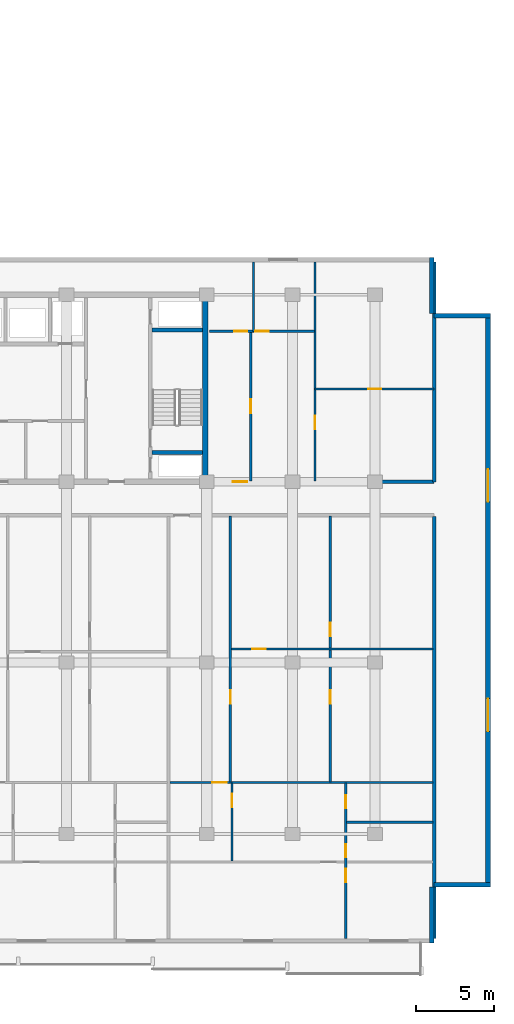
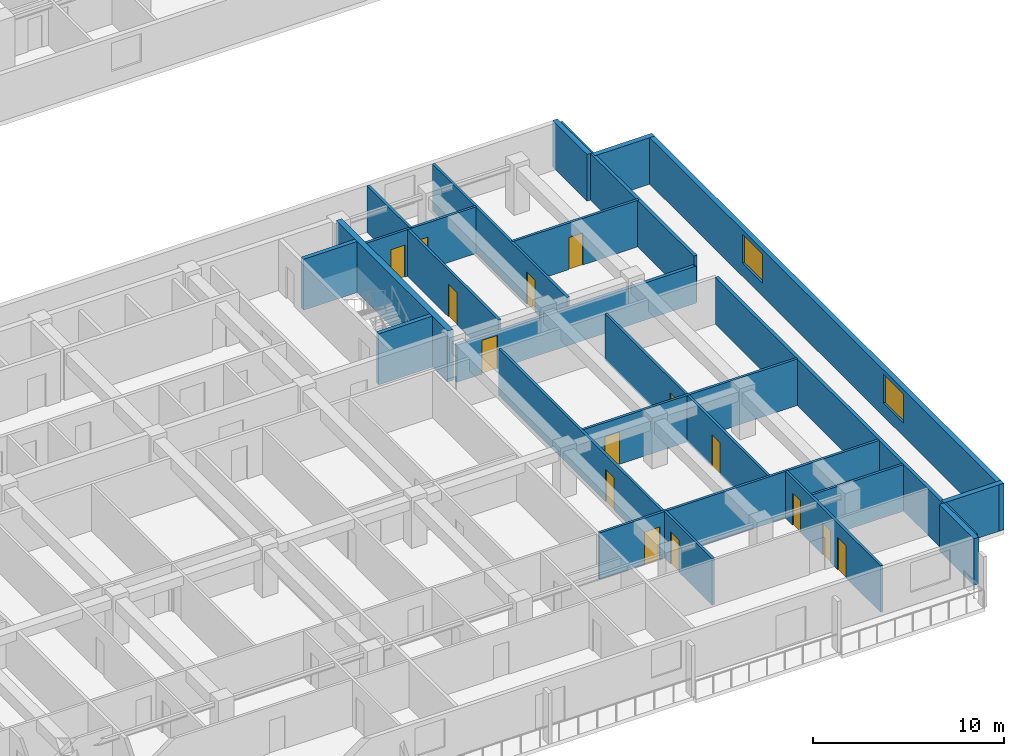
# One storey, part 8 of 23: 23 walls, 15 doors, 2 windows, 17 openings.
"""IFC4 building model written with IfcOpenShell, lengths in metres."""

from ifc_helpers import new_model, si_unit, direction, frame, frame_2d, origin, place, context, subcontext, project, spatial, rectangle, extrude, material, layer, layer_set, type_object, element, fill, save


model = new_model("IFC4")

# Units and contexts
model_context = context("Model", 3, precision=1e-05, world=origin(), true_north=direction((0.0, 1.0)))
body_context = subcontext(model_context, "Body", "Model", "MODEL_VIEW")
ifc_project = project(units=[si_unit("LENGTHUNIT", "METRE"), si_unit("AREAUNIT", "SQUARE_METRE"), si_unit("VOLUMEUNIT", "CUBIC_METRE"), si_unit("PLANEANGLEUNIT", "RADIAN"), si_unit("MASSUNIT", "GRAM", prefix="KILO")], contexts=[model_context])

# Site, building, storey
site_placement = place(None, origin())
site = spatial("IfcSite", under=ifc_project, at=site_placement, CompositionType="ELEMENT")
building_placement = place(site_placement, origin())
building = spatial("IfcBuilding", under=site, at=building_placement, Name="Korimba Cascade Residences", CompositionType="ELEMENT")
storey_placement = place(building_placement, frame((0.0, 0.0, 33.75)))
storey = spatial("IfcBuildingStorey", under=building, at=storey_placement, Name="L08", CompositionType="ELEMENT", Elevation=33.75)

# Walls
ifc_material_1 = material(Name="Precast concrete C40/50", Category="concrete")
ifc_layer_1 = layer(ifc_material_1, 0.300048828125)
ifc_layer_set_1 = layer_set([ifc_layer_1], Name="Precast concrete C40/50")
wall_type_1 = type_object("IfcWallType", Name="EW-STONE-300", PredefinedType="STANDARD", material=ifc_layer_set_1)
wall_1_placement = place(storey_placement, frame((132.550048828125, -11.199951171875, 0.0), z_axis=(0.0, 0.0, 1.0), x_axis=(0.0, 1.0, 0.0)))
element("IfcWall", 1, at=wall_1_placement, inside=storey, type_object=wall_type_1, Name="L08 T2 Perimeter Stone Wall E01", PredefinedType="STANDARD", context=body_context, shape_type="SweptSolid", body=[
    extrude(rectangle(XDim=3.599853515625, YDim=0.300048828125, at=frame_2d((1.7998046875, 0.0))), origin(), (0.0, 0.0, 1.0), 2.969970703125),
])
wall_2_placement = place(storey_placement, frame((132.699951171875, -7.449951171875, 0.0), z_axis=(0.0, 0.0, 1.0), x_axis=(1.0, 0.0, 0.0)))
element("IfcWall", 2, at=wall_2_placement, inside=storey, type_object=wall_type_1, Name="L08 T2 Perimeter Stone Wall E02", PredefinedType="STANDARD", context=body_context, shape_type="SweptSolid", body=[
    extrude(rectangle(XDim=3.60009765625, YDim=0.300048828125, at=frame_2d((1.800048828125, 0.0))), origin(), (0.0, 0.0, 1.0), 2.969970703125),
])

# Wall, openings, windows
wall_3_placement = place(storey_placement, frame((136.14990234375, -7.60009765625, 0.0), z_axis=(0.0, 0.0, 1.0), x_axis=(0.0, 1.0, 0.0)))
wall_3 = element("IfcWall", 3, at=wall_3_placement, inside=storey, type_object=wall_type_1, Name="L08 T2 Perimeter Stone Wall E03", PredefinedType="STANDARD", context=body_context, shape_type="SweptSolid", body=[
    extrude(rectangle(XDim=36.800048828125, YDim=0.300048828125, at=frame_2d((18.39990234375, 0.0))), origin(), (0.0, 0.0, 1.0), 2.969970703125),
])
opening_1_placement = place(wall_3_placement, frame((9.989990234375, 0.0, 0.85009765625)))
opening_1 = element("IfcOpeningElement", 4, at=opening_1_placement, cuts=wall_3, Name="Opening W-03", PredefinedType="OPENING", context=body_context, shape_type="SweptSolid", body=[
    extrude(rectangle(XDim=2.10009765625, YDim=1.85009765625, at=frame_2d((1.050048828125, 0.925048828125))), frame((0.0, 0.16015625, 0.0), z_axis=(0.0, -1.0, 0.0), x_axis=(1.0, 0.0, 0.0)), (0.0, 0.0, 1.0), 0.320068359375),
])
opening_2_placement = place(wall_3_placement, frame((24.7099609375, 0.0, 0.85009765625)))
opening_2 = element("IfcOpeningElement", 5, at=opening_2_placement, cuts=wall_3, Name="Opening W-03", PredefinedType="OPENING", context=body_context, shape_type="SweptSolid", body=[
    extrude(rectangle(XDim=2.10009765625, YDim=1.85009765625, at=frame_2d((1.050048828125, 0.925048828125))), frame((0.0, 0.16015625, 0.0), z_axis=(0.0, -1.0, 0.0), x_axis=(1.0, 0.0, 0.0)), (0.0, 0.0, 1.0), 0.320068359375),
])
ifc_material_2 = material(Name="Double-Glazed Aluminium Window", Category="aluminium")
window_type = type_object("IfcWindowType", Name="WIN-CRN-2100", PartitioningType="DOUBLE_PANEL_HORIZONTAL", PredefinedType="WINDOW", material=ifc_material_2)
window_1_placement = place(opening_1_placement, origin())
window_1 = element("IfcWindow", 6, at=window_1_placement, inside=storey, type_object=window_type, Name="L08 T2 End View Window 3.1", OverallHeight=1.85009765625, OverallWidth=2.10009765625, PartitioningType="DOUBLE_PANEL_HORIZONTAL", PredefinedType="WINDOW", context=body_context, shape_type="SweptSolid", body=[
    extrude(rectangle(XDim=2.10009765625, YDim=1.85009765625, at=frame_2d((1.050048828125, 0.925048828125))), frame((0.0, 0.030029296875, 0.0), z_axis=(0.0, -1.0, 0.0), x_axis=(1.0, 0.0, 0.0)), (0.0, 0.0, 1.0), 0.06005859375),
])
fill(opening_1, window_1)
window_2_placement = place(opening_2_placement, origin())
window_2 = element("IfcWindow", 7, at=window_2_placement, inside=storey, type_object=window_type, Name="L08 T2 End View Window 3.2", OverallHeight=1.85009765625, OverallWidth=2.10009765625, PartitioningType="DOUBLE_PANEL_HORIZONTAL", PredefinedType="WINDOW", context=body_context, shape_type="SweptSolid", body=[
    extrude(rectangle(XDim=2.10009765625, YDim=1.85009765625, at=frame_2d((1.050048828125, 0.925048828125))), frame((0.0, 0.030029296875, 0.0), z_axis=(0.0, -1.0, 0.0), x_axis=(1.0, 0.0, 0.0)), (0.0, 0.0, 1.0), 0.06005859375),
])
fill(opening_2, window_2)

# Walls
for number, where, z_axis, x_axis, name in (
    (8, (136.300048828125, 29.050048828125, 0.0), (0.0, 0.0, 1.0), (-1.0, 0.0, 0.0), "L08 T2 Perimeter Stone Wall E04"),
    (9, (132.550048828125, 29.199951171875, 0.0), (0.0, 0.0, 1.0), (0.0, 1.0, 0.0), "L08 T2 Perimeter Stone Wall E05"),
):
    element("IfcWall", number, at=place(storey_placement, frame(where, z_axis=z_axis, x_axis=x_axis)), inside=storey, type_object=wall_type_1, Name=name, PredefinedType="STANDARD", context=body_context, shape_type="SweptSolid", body=[
        extrude(rectangle(XDim=3.60009765625, YDim=0.300048828125, at=frame_2d((1.800048828125, 0.0))), origin(), (0.0, 0.0, 1.0), 2.969970703125),
    ])
ifc_material_3 = material(Name="Concrete C65/80", Category="concrete")
ifc_layer_2 = layer(ifc_material_3, 0.35009765625)
ifc_layer_set_2 = layer_set([ifc_layer_2], Name="Concrete C65/80")
wall_type_2 = type_object("IfcWallType", Name="WAL-CORE-350", PredefinedType="SHEAR", material=ifc_layer_set_2)
wall_4_placement = place(storey_placement, frame((118.014892578125, 18.574951171875, 0.0), z_axis=(0.0, 0.0, 1.0), x_axis=(0.0, 1.0, 0.0)))
element("IfcWall", 10, at=wall_4_placement, inside=storey, type_object=wall_type_2, Name="L08 Core Shear Wall CW-L08-T2-E", PredefinedType="SHEAR", context=body_context, shape_type="SweptSolid", body=[
    extrude(rectangle(XDim=11.650146484375, YDim=0.35009765625, at=frame_2d((5.8251953125, 0.0))), origin(), (0.0, 0.0, 1.0), 3.25),
])
ifc_layer_3 = layer(ifc_material_1, 0.199951171875)
ifc_layer_set_3 = layer_set([ifc_layer_3], Name="Precast concrete C40/50")
wall_type_3 = type_object("IfcWallType", Name="WAL-IT-200", PredefinedType="PARTITIONING", material=ifc_layer_set_3)
wall_5_placement = place(storey_placement, frame((132.699951171875, 18.39990234375, 0.0), z_axis=(0.0, 0.0, 1.0), x_axis=(0.0, 1.0, 0.0)))
element("IfcWall", 11, at=wall_5_placement, inside=storey, type_object=wall_type_3, Name="L08 Partition Wall WAL-L08-T2-FE-WR", PredefinedType="PARTITIONING", context=body_context, shape_type="SweptSolid", body=[
    extrude(rectangle(XDim=14.10009765625, YDim=0.199951171875, at=frame_2d((7.050048828125, 0.0))), origin(), (0.0, 0.0, 1.0), 2.969970703125),
])

# Wall, opening, door
wall_6_placement = place(storey_placement, frame((118.25, 18.39990234375, 0.0), z_axis=(0.0, 0.0, 1.0), x_axis=(1.0, 0.0, 0.0)))
wall_6 = element("IfcWall", 12, at=wall_6_placement, inside=storey, type_object=wall_type_3, Name="L08 Partition Wall WAL-L08-T2-FE-S", PredefinedType="PARTITIONING", context=body_context, shape_type="SweptSolid", body=[
    extrude(rectangle(XDim=14.449951171875, YDim=0.199951171875, at=frame_2d((7.22509765625, 0.0))), origin(), (0.0, 0.0, 1.0), 2.3701171875),
])
opening_3_placement = place(wall_6_placement, frame((1.510009765625, 0.0, 0.0)))
opening_3 = element("IfcOpeningElement", 13, at=opening_3_placement, cuts=wall_6, Name="Opening D-UN1", PredefinedType="OPENING", context=body_context, shape_type="SweptSolid", body=[
    extrude(rectangle(XDim=0.949951171875, YDim=2.14990234375, at=frame_2d((0.47509765625, 1.074951171875))), frame((0.0, 0.10986328125, 0.0), z_axis=(0.0, -1.0, 0.0), x_axis=(1.0, 0.0, 0.0)), (0.0, 0.0, 1.0), 0.219970703125),
])
ifc_material_4 = material(Name="Fire-Rated Hardwood Apartment Entrance Door", Category="wood")
door_type_1 = type_object("IfcDoorType", Name="DR-FD60-950", OperationType="NOTDEFINED", PredefinedType="DOOR", material=ifc_material_4)
door_1_placement = place(opening_3_placement, origin())
door_1 = element("IfcDoor", 14, at=door_1_placement, inside=storey, type_object=door_type_1, Name="L08-T2-FE Entrance Door", OperationType="SINGLE_SWING_LEFT", OverallHeight=2.14990234375, OverallWidth=0.949951171875, PredefinedType="DOOR", context=body_context, shape_type="SweptSolid", body=[
    extrude(rectangle(XDim=0.949951171875, YDim=2.14990234375, at=frame_2d((0.47509765625, 1.074951171875))), frame((0.0, 0.02490234375, 0.0), z_axis=(0.0, -1.0, 0.0), x_axis=(1.0, 0.0, 0.0)), (0.0, 0.0, 1.0), 0.050048828125),
])
fill(opening_3, door_1)

# Wall
wall_7_placement = place(storey_placement, frame((132.699951171875, -10.89990234375, 0.0), z_axis=(0.0, 0.0, 1.0), x_axis=(0.0, 1.0, 0.0)))
element("IfcWall", 15, at=wall_7_placement, inside=storey, type_object=wall_type_3, Name="L08 Partition Wall WAL-L08-T2-BNDWR", PredefinedType="PARTITIONING", context=body_context, shape_type="SweptSolid", body=[
    extrude(rectangle(XDim=27.06982421875, YDim=0.199951171875, at=frame_2d((13.534912109375, 0.0))), origin(), (0.0, 0.0, 1.0), 2.969970703125),
])

# Wall, opening, door
ifc_material_5 = material(Name="Insulated Acoustic Stud Partition", Category="gypsum")
ifc_layer_4 = layer(ifc_material_5, 0.14990234375)
ifc_layer_set_4 = layer_set([ifc_layer_4], Name="Insulated Acoustic Stud Partition")
wall_type_4 = type_object("IfcWallType", Name="WAL-PART-150", PredefinedType="PARTITIONING", material=ifc_layer_set_4)
wall_8_placement = place(storey_placement, frame((125.050048828125, 24.35009765625, 0.0), z_axis=(0.0, 0.0, 1.0), x_axis=(1.0, 0.0, 0.0)))
wall_8 = element("IfcWall", 16, at=wall_8_placement, inside=storey, type_object=wall_type_4, Name="L08 Partition Wall WAL-L08-T2-FE-STH", PredefinedType="PARTITIONING", context=body_context, shape_type="SweptSolid", body=[
    extrude(rectangle(XDim=7.64990234375, YDim=0.14990234375, at=frame_2d((3.824951171875, 0.0))), origin(), (0.0, 0.0, 1.0), 2.969970703125),
])
opening_4_placement = place(wall_8_placement, frame((3.405029296875, 0.0, 0.0)))
opening_4 = element("IfcOpeningElement", 17, at=opening_4_placement, cuts=wall_8, Name="Opening D-BT1", PredefinedType="OPENING", context=body_context, shape_type="SweptSolid", body=[
    extrude(rectangle(XDim=0.840087890625, YDim=2.0400390625, at=frame_2d((0.419921875, 1.02001953125))), frame((0.0, 0.0849609375, 0.0), z_axis=(0.0, -1.0, 0.0), x_axis=(1.0, 0.0, 0.0)), (0.0, 0.0, 1.0), 0.169921875),
])
ifc_material_6 = material(Name="Moisture-Resistant Bathroom Timber Door", Category="wood")
door_type_2 = type_object("IfcDoorType", Name="DR-INT-850", OperationType="NOTDEFINED", PredefinedType="DOOR", material=ifc_material_6)
door_2_placement = place(opening_4_placement, origin())
door_2 = element("IfcDoor", 18, at=door_2_placement, inside=storey, type_object=door_type_2, Name="L08-T2-FE Dressing Store Door", OperationType="SINGLE_SWING_RIGHT", OverallHeight=2.0400390625, OverallWidth=0.840087890625, PredefinedType="DOOR", context=body_context, shape_type="SweptSolid", body=[
    extrude(rectangle(XDim=0.840087890625, YDim=2.0400390625, at=frame_2d((0.419921875, 1.02001953125))), frame((0.0, 0.02490234375, 0.0), z_axis=(0.0, -1.0, 0.0), x_axis=(1.0, 0.0, 0.0)), (0.0, 0.0, 1.0), 0.050048828125),
])
fill(opening_4, door_2)

wall_9_placement = place(storey_placement, frame((125.050048828125, 18.449951171875, 0.0), z_axis=(0.0, 0.0, 1.0), x_axis=(0.0, 1.0, 0.0)))
wall_9 = element("IfcWall", 19, at=wall_9_placement, inside=storey, type_object=wall_type_4, Name="L08 Partition Wall WAL-L08-T2-FE-STV", PredefinedType="PARTITIONING", context=body_context, shape_type="SweptSolid", body=[
    extrude(rectangle(XDim=14.050048828125, YDim=0.14990234375, at=frame_2d((7.02490234375, 0.0))), origin(), (0.0, 0.0, 1.0), 2.969970703125),
])
opening_5_placement = place(wall_9_placement, frame((3.320068359375, 0.0, 0.0)))
opening_5 = element("IfcOpeningElement", 20, at=opening_5_placement, cuts=wall_9, Name="Opening D-IN2", PredefinedType="OPENING", context=body_context, shape_type="SweptSolid", body=[
    extrude(rectangle(XDim=0.8798828125, YDim=2.06005859375, at=frame_2d((0.43994140625, 1.030029296875))), frame((0.0, 0.0849609375, 0.0), z_axis=(0.0, -1.0, 0.0), x_axis=(1.0, 0.0, 0.0)), (0.0, 0.0, 1.0), 0.169921875),
])
ifc_material_7 = material(Name="Acoustic Timber Bedroom Door", Category="wood")
door_type_3 = type_object("IfcDoorType", Name="DR-INT-880", OperationType="NOTDEFINED", PredefinedType="DOOR", material=ifc_material_7)
door_3_placement = place(opening_5_placement, origin())
door_3 = element("IfcDoor", 21, at=door_3_placement, inside=storey, type_object=door_type_3, Name="L08-T2-FE Study Door", OperationType="SINGLE_SWING_LEFT", OverallHeight=2.06005859375, OverallWidth=0.8798828125, PredefinedType="DOOR", context=body_context, shape_type="SweptSolid", body=[
    extrude(rectangle(XDim=0.8798828125, YDim=2.06005859375, at=frame_2d((0.43994140625, 1.030029296875))), frame((0.0, 0.02490234375, 0.0), z_axis=(0.0, -1.0, 0.0), x_axis=(1.0, 0.0, 0.0)), (0.0, 0.0, 1.0), 0.050048828125),
])
fill(opening_5, door_3)

wall_10_placement = place(storey_placement, frame((120.929931640625, 18.449951171875, 0.0), z_axis=(0.0, 0.0, 1.0), x_axis=(0.0, 1.0, 0.0)))
wall_10 = element("IfcWall", 22, at=wall_10_placement, inside=storey, type_object=wall_type_4, Name="L08 Partition Wall WAL-L08-T2-FE-VS", PredefinedType="PARTITIONING", context=body_context, shape_type="SweptSolid", body=[
    extrude(rectangle(XDim=9.60009765625, YDim=0.14990234375, at=frame_2d((4.800048828125, 0.0))), origin(), (0.0, 0.0, 1.0), 2.969970703125),
])
opening_6_placement = place(wall_10_placement, frame((4.340087890625, 0.0, 0.0)))
opening_6 = element("IfcOpeningElement", 23, at=opening_6_placement, cuts=wall_10, Name="Opening D-IN1", PredefinedType="OPENING", context=body_context, shape_type="SweptSolid", body=[
    extrude(rectangle(XDim=0.919921875, YDim=2.080078125, at=frame_2d((0.4599609375, 1.0400390625))), frame((0.0, 0.0849609375, 0.0), z_axis=(0.0, -1.0, 0.0), x_axis=(1.0, 0.0, 0.0)), (0.0, 0.0, 1.0), 0.169921875),
])
ifc_material_8 = material(Name="Acoustic Timber Living Door", Category="wood")
door_type_4 = type_object("IfcDoorType", Name="DR-INT-920", OperationType="NOTDEFINED", PredefinedType="DOOR", material=ifc_material_8)
door_4_placement = place(opening_6_placement, origin())
door_4 = element("IfcDoor", 24, at=door_4_placement, inside=storey, type_object=door_type_4, Name="L08-T2-FE Living Door", OperationType="SINGLE_SWING_RIGHT", OverallHeight=2.080078125, OverallWidth=0.919921875, PredefinedType="DOOR", context=body_context, shape_type="SweptSolid", body=[
    extrude(rectangle(XDim=0.919921875, YDim=2.080078125, at=frame_2d((0.4599609375, 1.0400390625))), frame((0.0, 0.02490234375, 0.0), z_axis=(0.0, -1.0, 0.0), x_axis=(1.0, 0.0, 0.0)), (0.0, 0.0, 1.0), 0.050048828125),
])
fill(opening_6, door_4)

# Wall
wall_11_placement = place(storey_placement, frame((121.10009765625, 28.050048828125, 0.0), z_axis=(0.0, 0.0, 1.0), x_axis=(0.0, 1.0, 0.0)))
element("IfcWall", 25, at=wall_11_placement, inside=storey, type_object=wall_type_4, Name="L08 Partition Wall WAL-L08-T2-FE-VN", PredefinedType="PARTITIONING", context=body_context, shape_type="SweptSolid", body=[
    extrude(rectangle(XDim=4.449951171875, YDim=0.14990234375, at=frame_2d((2.22509765625, 0.0))), origin(), (0.0, 0.0, 1.0), 2.969970703125),
])

# Wall, openings, doors
wall_12_placement = place(storey_placement, frame((118.27001953125, 28.050048828125, 0.0), z_axis=(0.0, 0.0, 1.0), x_axis=(1.0, 0.0, 0.0)))
wall_12 = element("IfcWall", 26, at=wall_12_placement, inside=storey, type_object=wall_type_4, Name="L08 Partition Wall WAL-L08-T2-FE-H", PredefinedType="PARTITIONING", context=body_context, shape_type="SweptSolid", body=[
    extrude(rectangle(XDim=6.760009765625, YDim=0.14990234375, at=frame_2d((3.3798828125, 0.0))), origin(), (0.0, 0.0, 1.0), 2.969970703125),
])
opening_7_placement = place(wall_12_placement, frame((1.58740234375, 0.0, 0.0)))
opening_7 = element("IfcOpeningElement", 27, at=opening_7_placement, cuts=wall_12, Name="Opening D-BT1", PredefinedType="OPENING", context=body_context, shape_type="SweptSolid", body=[
    extrude(rectangle(XDim=0.840087890625, YDim=2.0400390625, at=frame_2d((0.419921875, 1.02001953125))), frame((0.0, 0.0849609375, 0.0), z_axis=(0.0, -1.0, 0.0), x_axis=(1.0, 0.0, 0.0)), (0.0, 0.0, 1.0), 0.169921875),
])
opening_8_placement = place(wall_12_placement, frame((2.93408203125, 0.0, 0.0)))
opening_8 = element("IfcOpeningElement", 28, at=opening_8_placement, cuts=wall_12, Name="Opening D-IN2", PredefinedType="OPENING", context=body_context, shape_type="SweptSolid", body=[
    extrude(rectangle(XDim=0.8798828125, YDim=2.06005859375, at=frame_2d((0.43994140625, 1.030029296875))), frame((0.0, 0.0849609375, 0.0), z_axis=(0.0, -1.0, 0.0), x_axis=(1.0, 0.0, 0.0)), (0.0, 0.0, 1.0), 0.169921875),
])
door_5_placement = place(opening_7_placement, origin())
door_5 = element("IfcDoor", 29, at=door_5_placement, inside=storey, type_object=door_type_2, Name="L08-T2-FE Bathroom Door", OperationType="SINGLE_SWING_LEFT", OverallHeight=2.0400390625, OverallWidth=0.840087890625, PredefinedType="DOOR", context=body_context, shape_type="SweptSolid", body=[
    extrude(rectangle(XDim=0.840087890625, YDim=2.0400390625, at=frame_2d((0.419921875, 1.02001953125))), frame((0.0, 0.02490234375, 0.0), z_axis=(0.0, -1.0, 0.0), x_axis=(1.0, 0.0, 0.0)), (0.0, 0.0, 1.0), 0.050048828125),
])
fill(opening_7, door_5)
door_6_placement = place(opening_8_placement, origin())
door_6 = element("IfcDoor", 30, at=door_6_placement, inside=storey, type_object=door_type_3, Name="L08-T2-FE Bedroom Door", OperationType="SINGLE_SWING_RIGHT", OverallHeight=2.06005859375, OverallWidth=0.8798828125, PredefinedType="DOOR", context=body_context, shape_type="SweptSolid", body=[
    extrude(rectangle(XDim=0.8798828125, YDim=2.06005859375, at=frame_2d((0.43994140625, 1.030029296875))), frame((0.0, 0.02490234375, 0.0), z_axis=(0.0, -1.0, 0.0), x_axis=(1.0, 0.0, 0.0)), (0.0, 0.0, 1.0), 0.050048828125),
])
fill(opening_8, door_6)

wall_13_placement = place(storey_placement, frame((126.030517578125, -0.860107421875, 0.0), z_axis=(0.0, 0.0, 1.0), x_axis=(0.0, 1.0, 0.0)))
wall_13 = element("IfcWall", 31, at=wall_13_placement, inside=storey, type_object=wall_type_4, Name="L08 Partition Wall WAL-L08-T2-U04-FMV", PredefinedType="PARTITIONING", context=body_context, shape_type="SweptSolid", body=[
    extrude(rectangle(XDim=17.050048828125, YDim=0.14990234375, at=frame_2d((8.52490234375, 0.0))), origin(), (0.0, 0.0, 1.0), 2.969970703125),
])
opening_9_placement = place(wall_13_placement, frame((5.026123046875, 0.0, 0.0)))
opening_9 = element("IfcOpeningElement", 32, at=opening_9_placement, cuts=wall_13, Name="Opening D-BT1", PredefinedType="OPENING", context=body_context, shape_type="SweptSolid", body=[
    extrude(rectangle(XDim=0.840087890625, YDim=2.0400390625, at=frame_2d((0.419921875, 1.02001953125))), frame((0.0, 0.0849609375, 0.0), z_axis=(0.0, -1.0, 0.0), x_axis=(1.0, 0.0, 0.0)), (0.0, 0.0, 1.0), 0.169921875),
])
opening_10_placement = place(wall_13_placement, frame((9.338623046875, 0.0, 0.0)))
opening_10 = element("IfcOpeningElement", 33, at=opening_10_placement, cuts=wall_13, Name="Opening D-IN2", PredefinedType="OPENING", context=body_context, shape_type="SweptSolid", body=[
    extrude(rectangle(XDim=0.8798828125, YDim=2.06005859375, at=frame_2d((0.43994140625, 1.030029296875))), frame((0.0, 0.0849609375, 0.0), z_axis=(0.0, -1.0, 0.0), x_axis=(1.0, 0.0, 0.0)), (0.0, 0.0, 1.0), 0.169921875),
])
door_7_placement = place(opening_9_placement, origin())
door_7 = element("IfcDoor", 34, at=door_7_placement, inside=storey, type_object=door_type_2, Name="L08-T2-U04 Wardrobe Door", OperationType="SINGLE_SWING_RIGHT", OverallHeight=2.0400390625, OverallWidth=0.840087890625, PredefinedType="DOOR", context=body_context, shape_type="SweptSolid", body=[
    extrude(rectangle(XDim=0.840087890625, YDim=2.0400390625, at=frame_2d((0.419921875, 1.02001953125))), frame((0.0, 0.02490234375, 0.0), z_axis=(0.0, -1.0, 0.0), x_axis=(1.0, 0.0, 0.0)), (0.0, 0.0, 1.0), 0.050048828125),
])
fill(opening_9, door_7)
door_8_placement = place(opening_10_placement, origin())
door_8 = element("IfcDoor", 35, at=door_8_placement, inside=storey, type_object=door_type_3, Name="L08-T2-U04 Music Lounge Door", OperationType="SINGLE_SWING_LEFT", OverallHeight=2.06005859375, OverallWidth=0.8798828125, PredefinedType="DOOR", context=body_context, shape_type="SweptSolid", body=[
    extrude(rectangle(XDim=0.8798828125, YDim=2.06005859375, at=frame_2d((0.43994140625, 1.030029296875))), frame((0.0, 0.02490234375, 0.0), z_axis=(0.0, -1.0, 0.0), x_axis=(1.0, 0.0, 0.0)), (0.0, 0.0, 1.0), 0.050048828125),
])
fill(opening_10, door_8)

# Wall, opening, door
wall_14_placement = place(storey_placement, frame((119.680908203125, 7.6650390625, 0.0), z_axis=(0.0, 0.0, 1.0), x_axis=(1.0, 0.0, 0.0)))
wall_14 = element("IfcWall", 36, at=wall_14_placement, inside=storey, type_object=wall_type_4, Name="L08 Partition Wall WAL-L08-T2-U04-FMH", PredefinedType="PARTITIONING", context=body_context, shape_type="SweptSolid", body=[
    extrude(rectangle(XDim=12.939208984375, YDim=0.14990234375, at=frame_2d((6.4697265625, 0.0))), origin(), (0.0, 0.0, 1.0), 2.969970703125),
])
opening_11_placement = place(wall_14_placement, frame((1.329833984375, 0.0, 0.0)))
opening_11 = element("IfcOpeningElement", 37, at=opening_11_placement, cuts=wall_14, Name="Opening D-IN2", PredefinedType="OPENING", context=body_context, shape_type="SweptSolid", body=[
    extrude(rectangle(XDim=0.8798828125, YDim=2.06005859375, at=frame_2d((0.43994140625, 1.030029296875))), frame((0.0, 0.0849609375, 0.0), z_axis=(0.0, -1.0, 0.0), x_axis=(1.0, 0.0, 0.0)), (0.0, 0.0, 1.0), 0.169921875),
])
door_9_placement = place(opening_11_placement, origin())
door_9 = element("IfcDoor", 38, at=door_9_placement, inside=storey, type_object=door_type_3, Name="L08-T2-U04 Library Salon Door", OperationType="SINGLE_SWING_RIGHT", OverallHeight=2.06005859375, OverallWidth=0.8798828125, PredefinedType="DOOR", context=body_context, shape_type="SweptSolid", body=[
    extrude(rectangle(XDim=0.8798828125, YDim=2.06005859375, at=frame_2d((0.43994140625, 1.030029296875))), frame((0.0, 0.02490234375, 0.0), z_axis=(0.0, -1.0, 0.0), x_axis=(1.0, 0.0, 0.0)), (0.0, 0.0, 1.0), 0.050048828125),
])
fill(opening_11, door_9)

wall_15_placement = place(storey_placement, frame((119.620849609375, -0.860107421875, 0.0), z_axis=(0.0, 0.0, 1.0), x_axis=(0.0, 1.0, 0.0)))
wall_15 = element("IfcWall", 39, at=wall_15_placement, inside=storey, type_object=wall_type_4, Name="L08 Partition Wall WAL-L08-T2-U04-FV", PredefinedType="PARTITIONING", context=body_context, shape_type="SweptSolid", body=[
    extrude(rectangle(XDim=17.050048828125, YDim=0.14990234375, at=frame_2d((8.52490234375, 0.0))), origin(), (0.0, 0.0, 1.0), 2.969970703125),
])
opening_12_placement = place(wall_15_placement, frame((4.999755859375, 0.0, 0.0)))
opening_12 = element("IfcOpeningElement", 40, at=opening_12_placement, cuts=wall_15, Name="Opening D-IN2", PredefinedType="OPENING", context=body_context, shape_type="SweptSolid", body=[
    extrude(rectangle(XDim=0.8798828125, YDim=2.06005859375, at=frame_2d((0.43994140625, 1.030029296875))), frame((0.0, 0.0849609375, 0.0), z_axis=(0.0, -1.0, 0.0), x_axis=(1.0, 0.0, 0.0)), (0.0, 0.0, 1.0), 0.169921875),
])
door_10_placement = place(opening_12_placement, origin())
door_10 = element("IfcDoor", 41, at=door_10_placement, inside=storey, type_object=door_type_3, Name="L08-T2-U04 Media Lounge Door", OperationType="SINGLE_SWING_LEFT", OverallHeight=2.06005859375, OverallWidth=0.8798828125, PredefinedType="DOOR", context=body_context, shape_type="SweptSolid", body=[
    extrude(rectangle(XDim=0.8798828125, YDim=2.06005859375, at=frame_2d((0.43994140625, 1.030029296875))), frame((0.0, 0.02490234375, 0.0), z_axis=(0.0, -1.0, 0.0), x_axis=(1.0, 0.0, 0.0)), (0.0, 0.0, 1.0), 0.050048828125),
])
fill(opening_12, door_10)

wall_16_placement = place(storey_placement, frame((119.720947265625, -5.93994140625, 0.0), z_axis=(0.0, 0.0, 1.0), x_axis=(0.0, 1.0, 0.0)))
wall_16 = element("IfcWall", 42, at=wall_16_placement, inside=storey, type_object=wall_type_4, Name="L08 Partition Wall WAL-L08-T2-U04-VDIN", PredefinedType="PARTITIONING", context=body_context, shape_type="SweptSolid", body=[
    extrude(rectangle(XDim=5.0, YDim=0.14990234375, at=frame_2d((2.5, 0.0))), origin(), (0.0, 0.0, 1.0), 2.969970703125),
])
opening_13_placement = place(wall_16_placement, frame((3.454345703125, 0.0, 0.0)))
opening_13 = element("IfcOpeningElement", 43, at=opening_13_placement, cuts=wall_16, Name="Opening D-IN2", PredefinedType="OPENING", context=body_context, shape_type="SweptSolid", body=[
    extrude(rectangle(XDim=0.8798828125, YDim=2.06005859375, at=frame_2d((0.43994140625, 1.030029296875))), frame((0.0, 0.0849609375, 0.0), z_axis=(0.0, -1.0, 0.0), x_axis=(1.0, 0.0, 0.0)), (0.0, 0.0, 1.0), 0.169921875),
])
door_11_placement = place(opening_13_placement, origin())
door_11 = element("IfcDoor", 44, at=door_11_placement, inside=storey, type_object=door_type_3, Name="L08-T2-U04 Dining Room Door", OperationType="SINGLE_SWING_RIGHT", OverallHeight=2.06005859375, OverallWidth=0.8798828125, PredefinedType="DOOR", context=body_context, shape_type="SweptSolid", body=[
    extrude(rectangle(XDim=0.8798828125, YDim=2.06005859375, at=frame_2d((0.43994140625, 1.030029296875))), frame((0.0, 0.02490234375, 0.0), z_axis=(0.0, -1.0, 0.0), x_axis=(1.0, 0.0, 0.0)), (0.0, 0.0, 1.0), 0.050048828125),
])
fill(opening_13, door_11)

# Wall
wall_17_placement = place(storey_placement, frame((127.080078125, -3.43994140625, 0.0), z_axis=(0.0, 0.0, 1.0), x_axis=(1.0, 0.0, 0.0)))
element("IfcWall", 45, at=wall_17_placement, inside=storey, type_object=wall_type_4, Name="L08 Partition Wall WAL-L08-T2-U04-BLDIV", PredefinedType="PARTITIONING", context=body_context, shape_type="SweptSolid", body=[
    extrude(rectangle(XDim=5.5400390625, YDim=0.14990234375, at=frame_2d((2.77001953125, 0.0))), origin(), (0.0, 0.0, 1.0), 2.969970703125),
])

# Wall, openings, doors
wall_18_placement = place(storey_placement, frame((127.02001953125, -10.89990234375, 0.0), z_axis=(0.0, 0.0, 1.0), x_axis=(0.0, 1.0, 0.0)))
wall_18 = element("IfcWall", 46, at=wall_18_placement, inside=storey, type_object=wall_type_4, Name="L08 Partition Wall WAL-L08-T2-U04-V1", PredefinedType="PARTITIONING", context=body_context, shape_type="SweptSolid", body=[
    extrude(rectangle(XDim=9.9599609375, YDim=0.14990234375, at=frame_2d((4.97998046875, 0.0))), origin(), (0.0, 0.0, 1.0), 2.969970703125),
])
opening_14_placement = place(wall_18_placement, frame((5.199951171875, 0.0, 0.0)))
opening_14 = element("IfcOpeningElement", 47, at=opening_14_placement, cuts=wall_18, Name="Opening D-BT1", PredefinedType="OPENING", context=body_context, shape_type="SweptSolid", body=[
    extrude(rectangle(XDim=0.840087890625, YDim=2.0400390625, at=frame_2d((0.419921875, 1.02001953125))), frame((0.0, 0.0849609375, 0.0), z_axis=(0.0, -1.0, 0.0), x_axis=(1.0, 0.0, 0.0)), (0.0, 0.0, 1.0), 0.169921875),
])
opening_15_placement = place(wall_18_placement, frame((8.359130859375, 0.0, 0.0)))
opening_15 = element("IfcOpeningElement", 48, at=opening_15_placement, cuts=wall_18, Name="Opening D-BT1", PredefinedType="OPENING", context=body_context, shape_type="SweptSolid", body=[
    extrude(rectangle(XDim=0.840087890625, YDim=2.0400390625, at=frame_2d((0.419921875, 1.02001953125))), frame((0.0, 0.0849609375, 0.0), z_axis=(0.0, -1.0, 0.0), x_axis=(1.0, 0.0, 0.0)), (0.0, 0.0, 1.0), 0.169921875),
])
opening_16_placement = place(wall_18_placement, frame((3.60009765625, 0.0, 0.0)))
opening_16 = element("IfcOpeningElement", 49, at=opening_16_placement, cuts=wall_18, Name="Opening D-IN2", PredefinedType="OPENING", context=body_context, shape_type="SweptSolid", body=[
    extrude(rectangle(XDim=0.8798828125, YDim=2.06005859375, at=frame_2d((0.43994140625, 1.030029296875))), frame((0.0, 0.0849609375, 0.0), z_axis=(0.0, -1.0, 0.0), x_axis=(1.0, 0.0, 0.0)), (0.0, 0.0, 1.0), 0.169921875),
])
door_12_placement = place(opening_14_placement, origin())
door_12 = element("IfcDoor", 50, at=door_12_placement, inside=storey, type_object=door_type_2, Name="L08-T2-U04 Bathroom Door", OperationType="SINGLE_SWING_LEFT", OverallHeight=2.0400390625, OverallWidth=0.840087890625, PredefinedType="DOOR", context=body_context, shape_type="SweptSolid", body=[
    extrude(rectangle(XDim=0.840087890625, YDim=2.0400390625, at=frame_2d((0.419921875, 1.02001953125))), frame((0.0, 0.02490234375, 0.0), z_axis=(0.0, -1.0, 0.0), x_axis=(1.0, 0.0, 0.0)), (0.0, 0.0, 1.0), 0.050048828125),
])
fill(opening_14, door_12)
door_13_placement = place(opening_15_placement, origin())
door_13 = element("IfcDoor", 51, at=door_13_placement, inside=storey, type_object=door_type_2, Name="L08-T2-U04 Laundry Door", OperationType="SINGLE_SWING_RIGHT", OverallHeight=2.0400390625, OverallWidth=0.840087890625, PredefinedType="DOOR", context=body_context, shape_type="SweptSolid", body=[
    extrude(rectangle(XDim=0.840087890625, YDim=2.0400390625, at=frame_2d((0.419921875, 1.02001953125))), frame((0.0, 0.02490234375, 0.0), z_axis=(0.0, -1.0, 0.0), x_axis=(1.0, 0.0, 0.0)), (0.0, 0.0, 1.0), 0.050048828125),
])
fill(opening_15, door_13)
door_14_placement = place(opening_16_placement, origin())
door_14 = element("IfcDoor", 52, at=door_14_placement, inside=storey, type_object=door_type_3, Name="L08-T2-U04 Bedroom 1 Door", OperationType="SINGLE_SWING_LEFT", OverallHeight=2.06005859375, OverallWidth=0.8798828125, PredefinedType="DOOR", context=body_context, shape_type="SweptSolid", body=[
    extrude(rectangle(XDim=0.8798828125, YDim=2.06005859375, at=frame_2d((0.43994140625, 1.030029296875))), frame((0.0, 0.02490234375, 0.0), z_axis=(0.0, -1.0, 0.0), x_axis=(1.0, 0.0, 0.0)), (0.0, 0.0, 1.0), 0.050048828125),
])
fill(opening_16, door_14)

# Wall, opening, door
wall_19_placement = place(storey_placement, frame((115.73095703125, -0.89990234375, 0.0), z_axis=(0.0, 0.0, 1.0), x_axis=(1.0, 0.0, 0.0)))
wall_19 = element("IfcWall", 53, at=wall_19_placement, inside=storey, type_object=wall_type_4, Name="L08 Partition Wall WAL-L08-T2-U04-MW", PredefinedType="PARTITIONING", context=body_context, shape_type="SweptSolid", body=[
    extrude(rectangle(XDim=16.88916015625, YDim=0.14990234375, at=frame_2d((8.444580078125, 0.0))), origin(), (0.0, 0.0, 1.0), 2.969970703125),
])
opening_17_placement = place(wall_19_placement, frame((2.719970703125, 0.0, 0.0)))
opening_17 = element("IfcOpeningElement", 54, at=opening_17_placement, cuts=wall_19, Name="Opening D-IN1", PredefinedType="OPENING", context=body_context, shape_type="SweptSolid", body=[
    extrude(rectangle(XDim=0.919921875, YDim=2.080078125, at=frame_2d((0.4599609375, 1.0400390625))), frame((0.0, 0.0849609375, 0.0), z_axis=(0.0, -1.0, 0.0), x_axis=(1.0, 0.0, 0.0)), (0.0, 0.0, 1.0), 0.169921875),
])
door_15_placement = place(opening_17_placement, origin())
door_15 = element("IfcDoor", 55, at=door_15_placement, inside=storey, type_object=door_type_4, Name="L08-T2-U04 Kitchen Archway Door", OperationType="SINGLE_SWING_RIGHT", OverallHeight=2.080078125, OverallWidth=0.919921875, PredefinedType="DOOR", context=body_context, shape_type="SweptSolid", body=[
    extrude(rectangle(XDim=0.919921875, YDim=2.080078125, at=frame_2d((0.4599609375, 1.0400390625))), frame((0.0, 0.02490234375, 0.0), z_axis=(0.0, -1.0, 0.0), x_axis=(1.0, 0.0, 0.0)), (0.0, 0.0, 1.0), 0.050048828125),
])
fill(opening_17, door_15)

# Walls
ifc_material_9 = material(Name="Concrete C50/60", Category="concrete")
ifc_layer_5 = layer(ifc_material_9, 0.25)
ifc_layer_set_5 = layer_set([ifc_layer_5], Name="Concrete C50/60")
wall_type_5 = type_object("IfcWallType", Name="WAL-SHAFT-250", PredefinedType="SHEAR", material=ifc_layer_set_5)
for number, where, z_axis, x_axis, name in (
    (56, (114.60009765625, 20.27490234375, 0.0), (0.0, 0.0, 1.0), (1.0, 0.0, 0.0), "L08 Core Shear Wall CW-L08-T2-STE2S"),
    (57, (114.60009765625, 28.125, 0.0), (0.0, 0.0, 1.0), (1.0, 0.0, 0.0), "L08 Core Shear Wall CW-L08-T2-STE2N"),
):
    element("IfcWall", number, at=place(storey_placement, frame(where, z_axis=z_axis, x_axis=x_axis)), inside=storey, type_object=wall_type_5, Name=name, PredefinedType="SHEAR", context=body_context, shape_type="SweptSolid", body=[
        extrude(rectangle(XDim=3.239990234375, YDim=0.25, at=frame_2d((1.6201171875, 0.0))), origin(), (0.0, 0.0, 1.0), 3.25),
    ])

save(model, "model.ifc")
